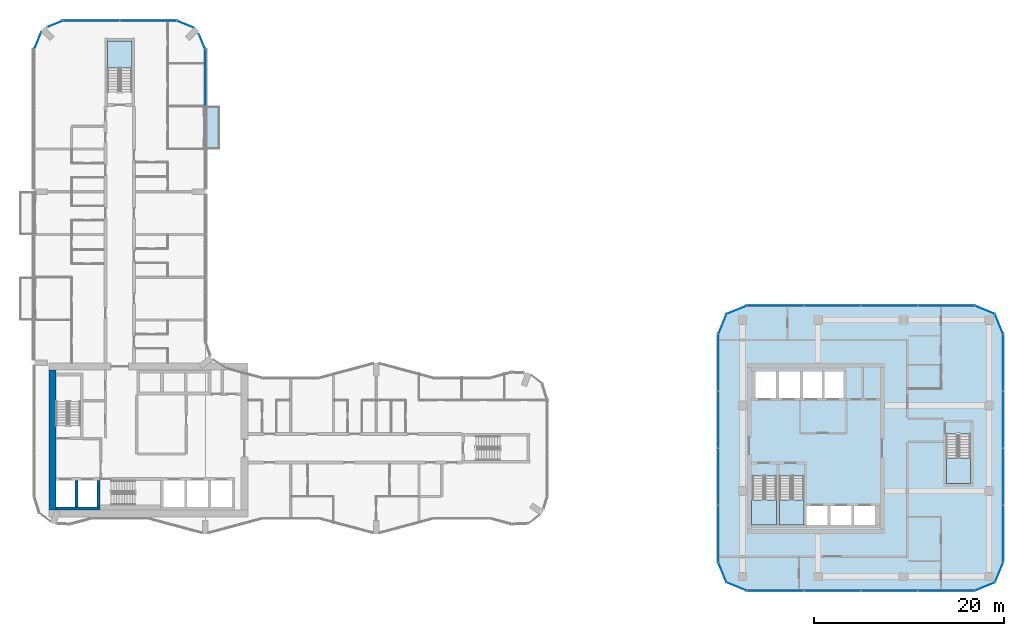
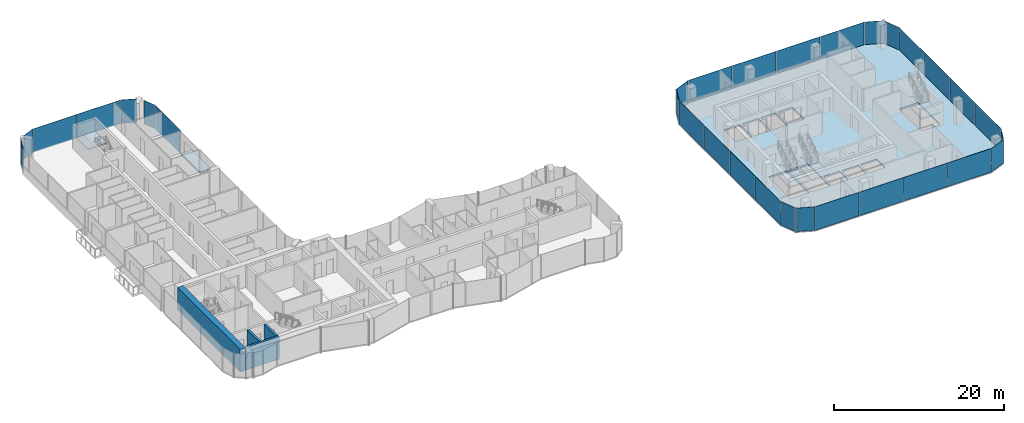
# One storey, part 13 of 24: 31 plates, 6 slabs, 4 walls, 22 elements without a shape of their own.
"""IFC4 building model written with IfcOpenShell, lengths in metres."""

import ifcopenshell
import ifcopenshell.guid

model = None  # the IFC model being written
_history = None  # IfcOwnerHistory: only IFC2X3 demands one
_inside = {}  # id of a spatial element -> (the spatial element, [elements in it])
_under = {}  # id of a project, library or spatial element -> (it, [spatial elements below it])
_declared = {}  # id of a project -> (the project, [libraries it declares])
_typed = {}  # id of a type object -> (the type object, [elements of that type])
_made_of = {}  # id of a material, layer set ... -> (it, [elements and type objects made of it])


def new_model(schema):
    """Start an empty IFC model of exactly this schema.

    Asked for "IFC4X3", IfcOpenShell would pick the latest addendum, in which some entities
    have other attributes; the version numbers below select the first issue.
    IFC2X3 requires an IfcOwnerHistory on every rooted entity: one is made here for all.
    """
    global model, _history
    if schema == "IFC4X3":
        model = ifcopenshell.file(schema_version=(4, 3, 0, 0))
    else:
        model = ifcopenshell.file(schema=schema)
    _inside.clear()
    _under.clear()
    _declared.clear()
    _typed.clear()
    _made_of.clear()
    _history = None
    if model.schema == "IFC2X3":
        org = make("IfcOrganization", Name="unknown")
        user = make(
            "IfcPersonAndOrganization",
            ThePerson=make("IfcPerson", FamilyName="unknown"),
            TheOrganization=org,
        )
        app = make(
            "IfcApplication",
            ApplicationDeveloper=org,
            Version="unknown",
            ApplicationFullName="unknown",
            ApplicationIdentifier="unknown",
        )
        _history = make(
            "IfcOwnerHistory",
            OwningUser=user,
            OwningApplication=app,
            ChangeAction="ADDED",
            CreationDate=0,
        )
    return model


def make(cls, **values):
    """One entity of the class cls with the attributes given. An attribute that is None is left unset."""
    return model.create_entity(
        cls, **{name: value for name, value in values.items() if value is not None}
    )


def rooted(cls, **values):
    """An entity with a GlobalId (a new one), such as an element, a storey or a relation."""
    return make(cls, GlobalId=ifcopenshell.guid.new(), OwnerHistory=_history, **values)


def si_unit(unit_type, name, prefix=None):
    """IfcSIUnit, for example si_unit("LENGTHUNIT", "METRE", prefix="MILLI")."""
    return make("IfcSIUnit", UnitType=unit_type, Prefix=prefix, Name=name)


def assignment(units):
    """IfcUnitAssignment: the units of a project."""
    return None if units is None else make("IfcUnitAssignment", Units=units)


def point(xyz):
    """IfcCartesianPoint."""
    return None if xyz is None else make("IfcCartesianPoint", Coordinates=xyz)


def direction(xyz):
    """IfcDirection."""
    return None if xyz is None else make("IfcDirection", DirectionRatios=xyz)


def frame(location, z_axis=None, x_axis=None):
    """IfcAxis2Placement3D, a coordinate frame: its origin and axes. An axis left out is left unset."""
    return make(
        "IfcAxis2Placement3D",
        Location=point(location),
        Axis=direction(z_axis),
        RefDirection=direction(x_axis),
    )


def frame_2d(location, x_axis=None):
    """IfcAxis2Placement2D, a coordinate frame in the plane: its origin and x axis."""
    return make(
        "IfcAxis2Placement2D", Location=point(location), RefDirection=direction(x_axis)
    )


def origin():
    """The frame at (0, 0, 0) with its axes left unset."""
    return frame((0.0, 0.0, 0.0))


def origin_2d():
    """The frame at (0, 0) in the plane with its x axis left unset."""
    return frame_2d((0.0, 0.0))


def place(relative_to, where):
    """IfcLocalPlacement: puts the frame where relative to a parent placement (None: the world)."""
    return make(
        "IfcLocalPlacement", PlacementRelTo=relative_to, RelativePlacement=where
    )


def context(
    kind, dimensions, precision=None, world=None, true_north=None, identifier=None
):
    """IfcGeometricRepresentationContext, for example the 3D "Model" context."""
    return make(
        "IfcGeometricRepresentationContext",
        ContextIdentifier=identifier,
        ContextType=kind,
        CoordinateSpaceDimension=dimensions,
        Precision=precision,
        WorldCoordinateSystem=world,
        TrueNorth=true_north,
    )


def subcontext(parent, identifier, kind, view, scale=None):
    """IfcGeometricRepresentationSubContext, for example "Body" below "Model"."""
    return make(
        "IfcGeometricRepresentationSubContext",
        ContextIdentifier=identifier,
        ContextType=kind,
        ParentContext=parent,
        TargetScale=scale,
        TargetView=view,
    )


def project(units=None, contexts=None):
    """IfcProject with its units and contexts."""
    return rooted(
        "IfcProject",
        Name="project",
        RepresentationContexts=contexts,
        UnitsInContext=assignment(units),
    )


def spatial(cls, under=None, at=None, **own):
    """A site, building, storey or space (cls), placed at a placement, below another one or the project."""
    s = rooted(cls, ObjectPlacement=at, **own)
    if under is not None:
        _under.setdefault(under.id(), (under, []))[1].append(s)
    return s


def polyline(points):
    """IfcPolyline through the points."""
    return make("IfcPolyline", Points=[point(p) for p in points])


def profile(cls, at=None, kind="AREA", **sizes):
    """A parametric profile (cls). Its sizes go by their IFC names, for example OverallWidth=200.0."""
    return make(cls, ProfileType=kind, Position=at, **sizes)


def rectangle(**sizes):
    """IfcRectangleProfileDef."""
    return profile("IfcRectangleProfileDef", **sizes)


def outline(outer, holes=None, kind="AREA"):
    """IfcArbitraryClosedProfileDef: a profile drawn as a closed curve; with holes, ...WithVoids."""
    if holes is None:
        return make("IfcArbitraryClosedProfileDef", ProfileType=kind, OuterCurve=outer)
    return make(
        "IfcArbitraryProfileDefWithVoids",
        ProfileType=kind,
        OuterCurve=outer,
        InnerCurves=holes,
    )


def extrude(swept, where, along, depth):
    """IfcExtrudedAreaSolid: the profile swept, set in the frame where, extruded along a direction by depth."""
    return make(
        "IfcExtrudedAreaSolid",
        SweptArea=swept,
        Position=where,
        ExtrudedDirection=direction(along),
        Depth=depth,
    )


def shape(context_of_items, identifier, shape_type, items):
    """IfcShapeRepresentation: the items that make up one representation, for example the "Body"."""
    return make(
        "IfcShapeRepresentation",
        ContextOfItems=context_of_items,
        RepresentationIdentifier=identifier,
        RepresentationType=shape_type,
        Items=items,
    )


def material(Name=None, Category=None):
    """IfcMaterial."""
    return make("IfcMaterial", Name=Name, Category=Category)


def layer(
    of_material, thickness, ventilated=None, Name=None, Category=None, Priority=None
):
    """IfcMaterialLayer: one layer of a wall or slab, of a material (None: an air gap)."""
    return make(
        "IfcMaterialLayer",
        Material=of_material,
        LayerThickness=thickness,
        IsVentilated=ventilated,
        Name=Name,
        Category=Category,
        Priority=Priority,
    )


def layer_set(layers, Name=None):
    """IfcMaterialLayerSet."""
    return make("IfcMaterialLayerSet", MaterialLayers=layers, LayerSetName=Name)


def made_of(thing, what):
    """Note that an element or type object is made of a material, layer set ...; save() writes the relation."""
    if what is not None:
        _made_of.setdefault(what.id(), (what, []))[1].append(thing)
    return thing


def type_object(cls, material=None, **own):
    """A type object (cls), such as IfcWallType, which elements share."""
    return made_of(rooted(cls, **own), material)


def element(
    cls,
    number,
    at=None,
    inside=None,
    cuts=None,
    type_object=None,
    material=None,
    context=None,
    identifier="Body",
    shape_type=None,
    held_by="IfcProductDefinitionShape",
    body=None,
    shapes=None,
    **own,
):
    """One element of the class cls, such as IfcWall. Its Tag is "e" and its number.

    at: its placement. inside: the storey or other place that contains it. cuts: it is an
    opening in that element (IfcRelVoidsElement). A single representation is given by context,
    identifier, shape_type and body (its items); several are given by shapes. held_by: the class
    of the entity that holds the representations. save() writes the other relations.
    """
    e = rooted(cls, Tag="e%d" % number, ObjectPlacement=at, **own)
    if body is not None:
        shapes = [shape(context, identifier, shape_type, body)]
    if shapes is not None:
        e.Representation = make(held_by, Representations=shapes)
    if inside is not None:
        _inside.setdefault(inside.id(), (inside, []))[1].append(e)
    if cuts is not None:
        rooted(
            "IfcRelVoidsElement", RelatingBuildingElement=cuts, RelatedOpeningElement=e
        )
    if type_object is not None:
        _typed.setdefault(type_object.id(), (type_object, []))[1].append(e)
    return made_of(e, material)


def aggregate(whole, parts):
    """IfcRelAggregates: a whole, such as a stair, and the parts it consists of."""
    return rooted("IfcRelAggregates", RelatingObject=whole, RelatedObjects=parts)


def save(model, path):
    """Write the relations noted so far, then the file.

    IfcRelAggregates (storeys below a building ...), IfcRelContainedInSpatialStructure (elements
    in a storey), IfcRelDefinesByType, IfcRelAssociatesMaterial and IfcRelDeclares: one each for
    every whole, place, type object, material and project.
    """
    for whole, parts in _under.values():
        aggregate(whole, parts)
    for where, things in _inside.values():
        rooted(
            "IfcRelContainedInSpatialStructure",
            RelatedElements=things,
            RelatingStructure=where,
        )
    for kind, things in _typed.values():
        rooted("IfcRelDefinesByType", RelatedObjects=things, RelatingType=kind)
    for what, things in _made_of.values():
        rooted("IfcRelAssociatesMaterial", RelatedObjects=things, RelatingMaterial=what)
    for by, libraries in _declared.values():
        rooted("IfcRelDeclares", RelatingContext=by, RelatedDefinitions=libraries)
    model.write(path)


model = new_model("IFC4")

# Units and contexts
model_context = context("Model", 3, precision=1e-05, world=origin(), true_north=direction((0.0, 1.0)))
body_context = subcontext(model_context, "Body", "Model", "MODEL_VIEW")
ifc_project = project(units=[si_unit("LENGTHUNIT", "METRE"), si_unit("AREAUNIT", "SQUARE_METRE"), si_unit("VOLUMEUNIT", "CUBIC_METRE"), si_unit("PLANEANGLEUNIT", "RADIAN"), si_unit("MASSUNIT", "GRAM", prefix="KILO")], contexts=[model_context])

# Site, building, storey
site_placement = place(None, origin())
site = spatial("IfcSite", under=ifc_project, at=site_placement, CompositionType="ELEMENT")
building_placement = place(site_placement, origin())
building = spatial("IfcBuilding", under=site, at=building_placement, Name="Plateau Cross Towers", CompositionType="ELEMENT")
storey_placement = place(building_placement, frame((0.0, 0.0, 47.800048828125)))
storey = spatial("IfcBuildingStorey", under=building, at=storey_placement, Name="L11", CompositionType="ELEMENT", Elevation=47.800048828125)

# Slab
ifc_material_1 = material(Name="Concrete C40/50", Category="concrete")
ifc_layer_1 = layer(ifc_material_1, 0.25)
ifc_layer_set_1 = layer_set([ifc_layer_1], Name="Concrete C40/50")
slab_type_1 = type_object("IfcSlabType", Name="Balcony slab 250", PredefinedType="FLOOR", material=ifc_layer_set_1)
slab_1_placement = place(storey_placement, frame((0.0, 0.0, -0.25)))
element("IfcSlab", 1, at=slab_1_placement, inside=storey, type_object=slab_type_1, Name="Balcony slab A-BAL-L11-03", PredefinedType="FLOOR", context=body_context, shape_type="SweptSolid", body=[
    extrude(outline(polyline([(19.5, 40.5), (19.5, 45.0), (18.0, 45.0), (18.0, 40.5), (19.5, 40.5)])), origin(), (0.0, 0.0, 1.0), 0.25),
])

# Curtain wall, plates
ifc_material_2 = material(Name="Dark low-iron glass", Category="glass")
ifc_layer_2 = layer(ifc_material_2, 0.239990234375)
ifc_layer_set_2 = layer_set([ifc_layer_2], Name="Dark low-iron glass")
curtain_wall_type_1 = type_object("IfcCurtainWallType", Name="Curtain wall office unitised CW-F", PredefinedType="NOTDEFINED", material=ifc_layer_set_2)
curtain_wall_1_placement = place(storey_placement, origin())
curtain_wall_1 = element("IfcCurtainWall", 2, at=curtain_wall_1_placement, inside=storey, type_object=curtain_wall_type_1, Name="ENV/B/L11/B750_-60", PredefinedType="NOTDEFINED")
ifc_layer_3 = layer(ifc_material_2, 0.028076171875)
ifc_layer_set_3 = layer_set([ifc_layer_3], Name="Dark low-iron glass")
plate_type_1 = type_object("IfcPlateType", Name="Glass panel 28 office unitised", PredefinedType="CURTAIN_PANEL", material=ifc_layer_set_3)
plate_1_placement = place(storey_placement, frame((78.0, -6.0, -0.1298828125), z_axis=(0.0, 0.0, 1.0), x_axis=(1.0, 0.0, 0.0)))
plate_1 = element("IfcPlate", 3, at=plate_1_placement, type_object=plate_type_1, Name="CW-F panel 1", PredefinedType="CURTAIN_PANEL", context=body_context, shape_type="SweptSolid", body=[
    extrude(rectangle(XDim=5.93994140625, YDim=0.028076171875, at=origin_2d()), origin(), (0.0, 0.0, 1.0), 3.3798828125),
])
plate_2_placement = place(storey_placement, frame((84.0, -6.0, -0.1298828125), z_axis=(0.0, 0.0, 1.0), x_axis=(1.0, 0.0, 0.0)))
plate_2 = element("IfcPlate", 4, at=plate_2_placement, type_object=plate_type_1, Name="CW-F panel 2", PredefinedType="CURTAIN_PANEL", context=body_context, shape_type="SweptSolid", body=[
    extrude(rectangle(XDim=5.93994140625, YDim=0.028076171875, at=origin_2d()), origin(), (0.0, 0.0, 1.0), 3.3798828125),
])
plate_3_placement = place(storey_placement, frame((90.0, -6.0, -0.1298828125), z_axis=(0.0, 0.0, 1.0), x_axis=(1.0, 0.0, 0.0)))
plate_3 = element("IfcPlate", 5, at=plate_3_placement, type_object=plate_type_1, Name="CW-F panel 3", PredefinedType="CURTAIN_PANEL", context=body_context, shape_type="SweptSolid", body=[
    extrude(rectangle(XDim=5.93994140625, YDim=0.028076171875, at=origin_2d()), origin(), (0.0, 0.0, 1.0), 3.3798828125),
])
plate_4_placement = place(storey_placement, frame((96.0, -6.0, -0.1298828125), z_axis=(0.0, 0.0, 1.0), x_axis=(1.0, 0.0, 0.0)))
plate_4 = element("IfcPlate", 6, at=plate_4_placement, type_object=plate_type_1, Name="CW-F panel 4", PredefinedType="CURTAIN_PANEL", context=body_context, shape_type="SweptSolid", body=[
    extrude(rectangle(XDim=5.93994140625, YDim=0.028076171875, at=origin_2d()), origin(), (0.0, 0.0, 1.0), 3.3798828125),
])
aggregate(curtain_wall_1, [plate_1, plate_2, plate_3, plate_4])

# Curtain wall, plate
curtain_wall_2_placement = place(storey_placement, origin())
curtain_wall_2 = element("IfcCurtainWall", 7, at=curtain_wall_2_placement, inside=storey, type_object=curtain_wall_type_1, Name="ENV/B/L11/B990_-60", PredefinedType="NOTDEFINED")
plate_5_placement = place(storey_placement, frame((100.060546875, -5.560546875, -0.1298828125), z_axis=(0.0, 0.0, 1.0), x_axis=(0.923879457699, 0.382683612978, 0.0)))
plate_5 = element("IfcPlate", 8, at=plate_5_placement, type_object=plate_type_1, Name="CW-F panel 1", PredefinedType="CURTAIN_PANEL", context=body_context, shape_type="SweptSolid", body=[
    extrude(rectangle(XDim=2.236083984375, YDim=0.028076171875, at=origin_2d()), origin(), (0.0, 0.0, 1.0), 3.3798828125),
])
aggregate(curtain_wall_2, [plate_5])

curtain_wall_3_placement = place(storey_placement, origin())
curtain_wall_3 = element("IfcCurtainWall", 9, at=curtain_wall_3_placement, inside=storey, type_object=curtain_wall_type_1, Name="ENV/B/L11/B1011_-51", PredefinedType="NOTDEFINED")
plate_6_placement = place(storey_placement, frame((101.560546875, -4.060546875, -0.1298828125), z_axis=(0.0, 0.0, 1.0), x_axis=(0.382683612978, 0.923879457699, 0.0)))
plate_6 = element("IfcPlate", 10, at=plate_6_placement, type_object=plate_type_1, Name="CW-F panel 1", PredefinedType="CURTAIN_PANEL", context=body_context, shape_type="SweptSolid", body=[
    extrude(rectangle(XDim=2.236083984375, YDim=0.028076171875, at=origin_2d()), origin(), (0.0, 0.0, 1.0), 3.3798828125),
])
aggregate(curtain_wall_3, [plate_6])

# Curtain wall, plates
curtain_wall_4_placement = place(storey_placement, origin())
curtain_wall_4 = element("IfcCurtainWall", 11, at=curtain_wall_4_placement, inside=storey, type_object=curtain_wall_type_1, Name="ENV/B/L11/B1020_-30", PredefinedType="NOTDEFINED")
plate_7_placement = place(storey_placement, frame((102.0, 0.0, -0.1298828125), z_axis=(0.0, 0.0, 1.0), x_axis=(0.0, 1.0, 0.0)))
plate_7 = element("IfcPlate", 12, at=plate_7_placement, type_object=plate_type_1, Name="CW-F panel 1", PredefinedType="CURTAIN_PANEL", context=body_context, shape_type="SweptSolid", body=[
    extrude(rectangle(XDim=5.93994140625, YDim=0.028076171875, at=origin_2d()), origin(), (0.0, 0.0, 1.0), 3.3798828125),
])
plate_8_placement = place(storey_placement, frame((102.0, 6.0, -0.1298828125), z_axis=(0.0, 0.0, 1.0), x_axis=(0.0, 1.0, 0.0)))
plate_8 = element("IfcPlate", 13, at=plate_8_placement, type_object=plate_type_1, Name="CW-F panel 2", PredefinedType="CURTAIN_PANEL", context=body_context, shape_type="SweptSolid", body=[
    extrude(rectangle(XDim=5.93994140625, YDim=0.028076171875, at=origin_2d()), origin(), (0.0, 0.0, 1.0), 3.3798828125),
])
plate_9_placement = place(storey_placement, frame((102.0, 12.0, -0.1298828125), z_axis=(0.0, 0.0, 1.0), x_axis=(0.0, 1.0, 0.0)))
plate_9 = element("IfcPlate", 14, at=plate_9_placement, type_object=plate_type_1, Name="CW-F panel 3", PredefinedType="CURTAIN_PANEL", context=body_context, shape_type="SweptSolid", body=[
    extrude(rectangle(XDim=5.93994140625, YDim=0.028076171875, at=origin_2d()), origin(), (0.0, 0.0, 1.0), 3.3798828125),
])
plate_10_placement = place(storey_placement, frame((102.0, 18.0, -0.1298828125), z_axis=(0.0, 0.0, 1.0), x_axis=(0.0, 1.0, 0.0)))
plate_10 = element("IfcPlate", 15, at=plate_10_placement, type_object=plate_type_1, Name="CW-F panel 4", PredefinedType="CURTAIN_PANEL", context=body_context, shape_type="SweptSolid", body=[
    extrude(rectangle(XDim=5.93994140625, YDim=0.028076171875, at=origin_2d()), origin(), (0.0, 0.0, 1.0), 3.3798828125),
])
aggregate(curtain_wall_4, [plate_7, plate_8, plate_9, plate_10])

# Curtain wall, plate
curtain_wall_5_placement = place(storey_placement, origin())
curtain_wall_5 = element("IfcCurtainWall", 16, at=curtain_wall_5_placement, inside=storey, type_object=curtain_wall_type_1, Name="ENV/B/L11/B1020_210", PredefinedType="NOTDEFINED")
plate_11_placement = place(storey_placement, frame((101.560546875, 22.060546875, -0.1298828125), z_axis=(0.0, 0.0, 1.0), x_axis=(-0.382683612978, 0.923879457699, 0.0)))
plate_11 = element("IfcPlate", 17, at=plate_11_placement, type_object=plate_type_1, Name="CW-F panel 1", PredefinedType="CURTAIN_PANEL", context=body_context, shape_type="SweptSolid", body=[
    extrude(rectangle(XDim=2.236083984375, YDim=0.028076171875, at=origin_2d()), origin(), (0.0, 0.0, 1.0), 3.3798828125),
])
aggregate(curtain_wall_5, [plate_11])

curtain_wall_6_placement = place(storey_placement, origin())
curtain_wall_6 = element("IfcCurtainWall", 18, at=curtain_wall_6_placement, inside=storey, type_object=curtain_wall_type_1, Name="ENV/B/L11/B1011_231", PredefinedType="NOTDEFINED")
plate_12_placement = place(storey_placement, frame((100.060546875, 23.560546875, -0.1298828125), z_axis=(0.0, 0.0, 1.0), x_axis=(-0.923879457699, 0.382683612978, 0.0)))
plate_12 = element("IfcPlate", 19, at=plate_12_placement, type_object=plate_type_1, Name="CW-F panel 1", PredefinedType="CURTAIN_PANEL", context=body_context, shape_type="SweptSolid", body=[
    extrude(rectangle(XDim=2.236083984375, YDim=0.028076171875, at=origin_2d()), origin(), (0.0, 0.0, 1.0), 3.3798828125),
])
aggregate(curtain_wall_6, [plate_12])

# Curtain wall, plates
curtain_wall_7_placement = place(storey_placement, origin())
curtain_wall_7 = element("IfcCurtainWall", 20, at=curtain_wall_7_placement, inside=storey, type_object=curtain_wall_type_1, Name="ENV/B/L11/B990_240", PredefinedType="NOTDEFINED")
plate_13_placement = place(storey_placement, frame((96.0, 24.0, -0.1298828125), z_axis=(0.0, 0.0, 1.0), x_axis=(-1.0, 0.0, 0.0)))
plate_13 = element("IfcPlate", 21, at=plate_13_placement, type_object=plate_type_1, Name="CW-F panel 1", PredefinedType="CURTAIN_PANEL", context=body_context, shape_type="SweptSolid", body=[
    extrude(rectangle(XDim=5.93994140625, YDim=0.028076171875, at=origin_2d()), origin(), (0.0, 0.0, 1.0), 3.3798828125),
])
plate_14_placement = place(storey_placement, frame((90.0, 24.0, -0.1298828125), z_axis=(0.0, 0.0, 1.0), x_axis=(-1.0, 0.0, 0.0)))
plate_14 = element("IfcPlate", 22, at=plate_14_placement, type_object=plate_type_1, Name="CW-F panel 2", PredefinedType="CURTAIN_PANEL", context=body_context, shape_type="SweptSolid", body=[
    extrude(rectangle(XDim=5.93994140625, YDim=0.028076171875, at=origin_2d()), origin(), (0.0, 0.0, 1.0), 3.3798828125),
])
plate_15_placement = place(storey_placement, frame((84.0, 24.0, -0.1298828125), z_axis=(0.0, 0.0, 1.0), x_axis=(-1.0, 0.0, 0.0)))
plate_15 = element("IfcPlate", 23, at=plate_15_placement, type_object=plate_type_1, Name="CW-F panel 3", PredefinedType="CURTAIN_PANEL", context=body_context, shape_type="SweptSolid", body=[
    extrude(rectangle(XDim=5.93994140625, YDim=0.028076171875, at=origin_2d()), origin(), (0.0, 0.0, 1.0), 3.3798828125),
])
plate_16_placement = place(storey_placement, frame((78.0, 24.0, -0.1298828125), z_axis=(0.0, 0.0, 1.0), x_axis=(-1.0, 0.0, 0.0)))
plate_16 = element("IfcPlate", 24, at=plate_16_placement, type_object=plate_type_1, Name="CW-F panel 4", PredefinedType="CURTAIN_PANEL", context=body_context, shape_type="SweptSolid", body=[
    extrude(rectangle(XDim=5.93994140625, YDim=0.028076171875, at=origin_2d()), origin(), (0.0, 0.0, 1.0), 3.3798828125),
])
aggregate(curtain_wall_7, [plate_13, plate_14, plate_15, plate_16])

# Curtain wall, plate
curtain_wall_8_placement = place(storey_placement, origin())
curtain_wall_8 = element("IfcCurtainWall", 25, at=curtain_wall_8_placement, inside=storey, type_object=curtain_wall_type_1, Name="ENV/B/L11/B750_240", PredefinedType="NOTDEFINED")
plate_17_placement = place(storey_placement, frame((73.939453125, 23.560546875, -0.1298828125), z_axis=(0.0, 0.0, 1.0), x_axis=(-0.923879457699, -0.382683612978, 0.0)))
plate_17 = element("IfcPlate", 26, at=plate_17_placement, type_object=plate_type_1, Name="CW-F panel 1", PredefinedType="CURTAIN_PANEL", context=body_context, shape_type="SweptSolid", body=[
    extrude(rectangle(XDim=2.236083984375, YDim=0.028076171875, at=origin_2d()), origin(), (0.0, 0.0, 1.0), 3.3798828125),
])
aggregate(curtain_wall_8, [plate_17])

curtain_wall_9_placement = place(storey_placement, origin())
curtain_wall_9 = element("IfcCurtainWall", 27, at=curtain_wall_9_placement, inside=storey, type_object=curtain_wall_type_1, Name="ENV/B/L11/B729_231", PredefinedType="NOTDEFINED")
plate_18_placement = place(storey_placement, frame((72.439453125, 22.060546875, -0.1298828125), z_axis=(0.0, 0.0, 1.0), x_axis=(-0.382683612978, -0.923879457699, 0.0)))
plate_18 = element("IfcPlate", 28, at=plate_18_placement, type_object=plate_type_1, Name="CW-F panel 1", PredefinedType="CURTAIN_PANEL", context=body_context, shape_type="SweptSolid", body=[
    extrude(rectangle(XDim=2.236083984375, YDim=0.028076171875, at=origin_2d()), origin(), (0.0, 0.0, 1.0), 3.3798828125),
])
aggregate(curtain_wall_9, [plate_18])

# Curtain wall, plates
curtain_wall_10_placement = place(storey_placement, origin())
curtain_wall_10 = element("IfcCurtainWall", 29, at=curtain_wall_10_placement, inside=storey, type_object=curtain_wall_type_1, Name="ENV/B/L11/B720_210", PredefinedType="NOTDEFINED")
plate_19_placement = place(storey_placement, frame((72.0, 18.0, -0.1298828125), z_axis=(0.0, 0.0, 1.0), x_axis=(0.0, -1.0, 0.0)))
plate_19 = element("IfcPlate", 30, at=plate_19_placement, type_object=plate_type_1, Name="CW-F panel 1", PredefinedType="CURTAIN_PANEL", context=body_context, shape_type="SweptSolid", body=[
    extrude(rectangle(XDim=5.93994140625, YDim=0.028076171875, at=origin_2d()), origin(), (0.0, 0.0, 1.0), 3.3798828125),
])
plate_20_placement = place(storey_placement, frame((72.0, 12.0, -0.1298828125), z_axis=(0.0, 0.0, 1.0), x_axis=(0.0, -1.0, 0.0)))
plate_20 = element("IfcPlate", 31, at=plate_20_placement, type_object=plate_type_1, Name="CW-F panel 2", PredefinedType="CURTAIN_PANEL", context=body_context, shape_type="SweptSolid", body=[
    extrude(rectangle(XDim=5.93994140625, YDim=0.028076171875, at=origin_2d()), origin(), (0.0, 0.0, 1.0), 3.3798828125),
])
plate_21_placement = place(storey_placement, frame((72.0, 6.0, -0.1298828125), z_axis=(0.0, 0.0, 1.0), x_axis=(0.0, -1.0, 0.0)))
plate_21 = element("IfcPlate", 32, at=plate_21_placement, type_object=plate_type_1, Name="CW-F panel 3", PredefinedType="CURTAIN_PANEL", context=body_context, shape_type="SweptSolid", body=[
    extrude(rectangle(XDim=5.93994140625, YDim=0.028076171875, at=origin_2d()), origin(), (0.0, 0.0, 1.0), 3.3798828125),
])
plate_22_placement = place(storey_placement, frame((72.0, 0.0, -0.1298828125), z_axis=(0.0, 0.0, 1.0), x_axis=(0.0, -1.0, 0.0)))
plate_22 = element("IfcPlate", 33, at=plate_22_placement, type_object=plate_type_1, Name="CW-F panel 4", PredefinedType="CURTAIN_PANEL", context=body_context, shape_type="SweptSolid", body=[
    extrude(rectangle(XDim=5.93994140625, YDim=0.028076171875, at=origin_2d()), origin(), (0.0, 0.0, 1.0), 3.3798828125),
])
aggregate(curtain_wall_10, [plate_19, plate_20, plate_21, plate_22])

# Curtain wall, plate
curtain_wall_11_placement = place(storey_placement, origin())
curtain_wall_11 = element("IfcCurtainWall", 34, at=curtain_wall_11_placement, inside=storey, type_object=curtain_wall_type_1, Name="ENV/B/L11/B720_-30", PredefinedType="NOTDEFINED")
plate_23_placement = place(storey_placement, frame((72.439453125, -4.060546875, -0.1298828125), z_axis=(0.0, 0.0, 1.0), x_axis=(0.382683612978, -0.923879457699, 0.0)))
plate_23 = element("IfcPlate", 35, at=plate_23_placement, type_object=plate_type_1, Name="CW-F panel 1", PredefinedType="CURTAIN_PANEL", context=body_context, shape_type="SweptSolid", body=[
    extrude(rectangle(XDim=2.236083984375, YDim=0.028076171875, at=origin_2d()), origin(), (0.0, 0.0, 1.0), 3.3798828125),
])
aggregate(curtain_wall_11, [plate_23])

curtain_wall_12_placement = place(storey_placement, origin())
curtain_wall_12 = element("IfcCurtainWall", 36, at=curtain_wall_12_placement, inside=storey, type_object=curtain_wall_type_1, Name="ENV/B/L11/B729_-51", PredefinedType="NOTDEFINED")
plate_24_placement = place(storey_placement, frame((73.939453125, -5.560546875, -0.1298828125), z_axis=(0.0, 0.0, 1.0), x_axis=(0.923879457699, -0.382683612978, 0.0)))
plate_24 = element("IfcPlate", 37, at=plate_24_placement, type_object=plate_type_1, Name="CW-F panel 1", PredefinedType="CURTAIN_PANEL", context=body_context, shape_type="SweptSolid", body=[
    extrude(rectangle(XDim=2.236083984375, YDim=0.028076171875, at=origin_2d()), origin(), (0.0, 0.0, 1.0), 3.3798828125),
])
aggregate(curtain_wall_12, [plate_24])

ifc_layer_4 = layer(ifc_material_2, 0.239990234375)
ifc_layer_set_4 = layer_set([ifc_layer_4], Name="Dark low-iron glass")
curtain_wall_type_2 = type_object("IfcCurtainWallType", Name="Curtain wall flush unitised CW-B", PredefinedType="NOTDEFINED", material=ifc_layer_set_4)
curtain_wall_13_placement = place(storey_placement, origin())
curtain_wall_13 = element("IfcCurtainWall", 38, at=curtain_wall_13_placement, inside=storey, type_object=curtain_wall_type_2, Name="ENV/A/L11/A180_450", PredefinedType="NOTDEFINED")
ifc_layer_5 = layer(ifc_material_2, 0.031982421875)
ifc_layer_set_5 = layer_set([ifc_layer_5], Name="Dark low-iron glass")
plate_type_2 = type_object("IfcPlateType", Name="Glass panel 32 flush unitised", PredefinedType="CURTAIN_PANEL", material=ifc_layer_set_5)
plate_25_placement = place(storey_placement, frame((18.0, 48.0048828125, -0.1298828125), z_axis=(0.0, 0.0, 1.0), x_axis=(0.0, 1.0, 0.0)))
plate_25 = element("IfcPlate", 39, at=plate_25_placement, type_object=plate_type_2, Name="CW-B panel 1", PredefinedType="CURTAIN_PANEL", context=body_context, shape_type="SweptSolid", body=[
    extrude(rectangle(XDim=5.929931640625, YDim=0.031982421875, at=origin_2d()), origin(), (0.0, 0.0, 1.0), 3.3798828125),
])
aggregate(curtain_wall_13, [plate_25])

curtain_wall_14_placement = place(storey_placement, origin())
curtain_wall_14 = element("IfcCurtainWall", 40, at=curtain_wall_14_placement, inside=storey, type_object=curtain_wall_type_2, Name="ENV/A/L11/A180_510", PredefinedType="NOTDEFINED")
plate_26_placement = place(storey_placement, frame((17.66943359375, 51.79833984375, -0.1298828125), z_axis=(0.0, 0.0, 1.0), x_axis=(-0.382683612978, 0.923879457699, 0.0)))
plate_26 = element("IfcPlate", 41, at=plate_26_placement, type_object=plate_type_2, Name="CW-B panel 1", PredefinedType="CURTAIN_PANEL", context=body_context, shape_type="SweptSolid", body=[
    extrude(rectangle(XDim=1.668212890625, YDim=0.031982421875, at=origin_2d()), origin(), (0.0, 0.0, 1.0), 3.3798828125),
])
aggregate(curtain_wall_14, [plate_26])

curtain_wall_15_placement = place(storey_placement, origin())
curtain_wall_15 = element("IfcCurtainWall", 42, at=curtain_wall_15_placement, inside=storey, type_object=curtain_wall_type_2, Name="ENV/A/L11/A168_533", PredefinedType="NOTDEFINED")
plate_27_placement = place(storey_placement, frame((15.90283203125, 53.6259765625, -0.1298828125), z_axis=(0.0, 0.0, 1.0), x_axis=(-0.923879457699, 0.382683612978, 0.0)))
plate_27 = element("IfcPlate", 43, at=plate_27_placement, type_object=plate_type_2, Name="CW-B panel 1", PredefinedType="CURTAIN_PANEL", context=body_context, shape_type="SweptSolid", body=[
    extrude(rectangle(XDim=1.894775390625, YDim=0.031982421875, at=origin_2d()), origin(), (0.0, 0.0, 1.0), 3.3798828125),
])
aggregate(curtain_wall_15, [plate_27])

# Curtain wall, plates
curtain_wall_16_placement = place(storey_placement, origin())
curtain_wall_16 = element("IfcCurtainWall", 44, at=curtain_wall_16_placement, inside=storey, type_object=curtain_wall_type_2, Name="ENV/A/L11/A150_540", PredefinedType="NOTDEFINED")
plate_28_placement = place(storey_placement, frame((12.0, 54.0, -0.1298828125), z_axis=(0.0, 0.0, 1.0), x_axis=(-1.0, 0.0, 0.0)))
plate_28 = element("IfcPlate", 45, at=plate_28_placement, type_object=plate_type_2, Name="CW-B panel 1", PredefinedType="CURTAIN_PANEL", context=body_context, shape_type="SweptSolid", body=[
    extrude(rectangle(XDim=5.93994140625, YDim=0.031982421875, at=origin_2d()), origin(), (0.0, 0.0, 1.0), 3.3798828125),
])
plate_29_placement = place(storey_placement, frame((6.0, 54.0, -0.1298828125), z_axis=(0.0, 0.0, 1.0), x_axis=(-1.0, 0.0, 0.0)))
plate_29 = element("IfcPlate", 46, at=plate_29_placement, type_object=plate_type_2, Name="CW-B panel 2", PredefinedType="CURTAIN_PANEL", context=body_context, shape_type="SweptSolid", body=[
    extrude(rectangle(XDim=5.93994140625, YDim=0.031982421875, at=origin_2d()), origin(), (0.0, 0.0, 1.0), 3.3798828125),
])
aggregate(curtain_wall_16, [plate_28, plate_29])

# Curtain wall, plate
curtain_wall_17_placement = place(storey_placement, origin())
curtain_wall_17 = element("IfcCurtainWall", 47, at=curtain_wall_17_placement, inside=storey, type_object=curtain_wall_type_2, Name="ENV/A/L11/A30_540", PredefinedType="NOTDEFINED")
plate_30_placement = place(storey_placement, frame((2.20166015625, 53.66943359375, -0.1298828125), z_axis=(0.0, 0.0, 1.0), x_axis=(-0.923879457699, -0.382683612978, 0.0)))
plate_30 = element("IfcPlate", 48, at=plate_30_placement, type_object=plate_type_2, Name="CW-B panel 1", PredefinedType="CURTAIN_PANEL", context=body_context, shape_type="SweptSolid", body=[
    extrude(rectangle(XDim=1.668212890625, YDim=0.031982421875, at=origin_2d()), origin(), (0.0, 0.0, 1.0), 3.3798828125),
])
aggregate(curtain_wall_17, [plate_30])

curtain_wall_18_placement = place(storey_placement, origin())
curtain_wall_18 = element("IfcCurtainWall", 49, at=curtain_wall_18_placement, inside=storey, type_object=curtain_wall_type_2, Name="ENV/A/L11/A7_528", PredefinedType="NOTDEFINED")
plate_31_placement = place(storey_placement, frame((0.3740234375, 51.90283203125, -0.1298828125), z_axis=(0.0, 0.0, 1.0), x_axis=(-0.382683612978, -0.923879457699, 0.0)))
plate_31 = element("IfcPlate", 50, at=plate_31_placement, type_object=plate_type_2, Name="CW-B panel 1", PredefinedType="CURTAIN_PANEL", context=body_context, shape_type="SweptSolid", body=[
    extrude(rectangle(XDim=1.894775390625, YDim=0.031982421875, at=origin_2d()), origin(), (0.0, 0.0, 1.0), 3.3798828125),
])
aggregate(curtain_wall_18, [plate_31])

# Slab
ifc_layer_6 = layer(ifc_material_1, 0.25)
ifc_layer_set_6 = layer_set([ifc_layer_6], Name="Concrete C40/50")
slab_type_2 = type_object("IfcSlabType", Name="Post-tensioned flat plate slab 250", PredefinedType="FLOOR", material=ifc_layer_set_6)
slab_2_placement = place(storey_placement, frame((0.0, 0.0, -0.25)))
element("IfcSlab", 51, at=slab_2_placement, inside=storey, type_object=slab_type_2, Name="SL-B-L11", PredefinedType="FLOOR", context=body_context, shape_type="SweptSolid", body=[
    extrude(outline(polyline([(72.878662109375, -5.121337890625), (72.0, -3.0), (72.0, 21.0), (72.878662109375, 23.121337890625), (75.0, 24.0), (99.0, 24.0), (101.121337890625, 23.121337890625), (102.0, 21.0), (102.0, -3.0), (101.121337890625, -5.121337890625), (99.0, -6.0), (75.0, -6.0), (72.878662109375, -5.121337890625)]), holes=[polyline([(75.60009765625, 0.89990234375), (78.14990234375, 0.89990234375), (78.14990234375, 6.10009765625), (75.60009765625, 6.10009765625), (75.60009765625, 0.89990234375)]), polyline([(78.10009765625, 14.300048828125), (78.10009765625, 17.10009765625), (75.89990234375, 17.10009765625), (75.89990234375, 14.300048828125), (78.10009765625, 14.300048828125)]), polyline([(83.5, 0.89990234375), (83.5, 2.89990234375), (81.300048828125, 2.89990234375), (81.300048828125, 0.89990234375), (83.5, 0.89990234375)]), polyline([(86.0, 0.89990234375), (86.0, 2.89990234375), (83.800048828125, 2.89990234375), (83.800048828125, 0.89990234375), (86.0, 0.89990234375)]), polyline([(88.5, 0.89990234375), (88.5, 2.89990234375), (86.300048828125, 2.89990234375), (86.300048828125, 0.89990234375), (88.5, 0.89990234375)]), polyline([(78.449951171875, 0.89990234375), (81.0, 0.89990234375), (81.0, 6.10009765625), (78.449951171875, 6.10009765625), (78.449951171875, 0.89990234375)]), polyline([(96.0, 5.300048828125), (98.550048828125, 5.300048828125), (98.550048828125, 10.5), (96.0, 10.5), (96.0, 5.300048828125)]), polyline([(80.60009765625, 14.300048828125), (80.60009765625, 17.10009765625), (78.39990234375, 17.10009765625), (78.39990234375, 14.300048828125), (80.60009765625, 14.300048828125)]), polyline([(80.89990234375, 14.300048828125), (82.89990234375, 14.300048828125), (82.89990234375, 17.10009765625), (80.89990234375, 17.10009765625), (80.89990234375, 14.300048828125)]), polyline([(83.199951171875, 14.300048828125), (85.199951171875, 14.300048828125), (85.199951171875, 17.10009765625), (83.199951171875, 17.10009765625), (83.199951171875, 14.300048828125)])]), origin(), (0.0, 0.0, 1.0), 0.25),
])

# Stair, slab
stair_type = type_object("IfcStairType", Name="ST-TWR", PredefinedType="HALF_TURN_STAIR", material=ifc_material_1)
stair_1_placement = place(storey_placement, origin())
stair_1 = element("IfcStair", 52, at=stair_1_placement, inside=storey, type_object=stair_type, Name="L11 Protected Exit Stair SB-1", PredefinedType="HALF_TURN_STAIR")
ifc_layer_7 = layer(ifc_material_1, 0.199951171875)
ifc_layer_set_7 = layer_set([ifc_layer_7], Name="Concrete C40/50")
slab_type_3 = type_object("IfcSlabType", Name="SL-LANDING", PredefinedType="LANDING", material=ifc_layer_set_7)
slab_3_placement = place(storey_placement, frame((0.0, 0.0, 1.550048828125)))
slab_3 = element("IfcSlab", 53, at=slab_3_placement, type_object=slab_type_3, Name="SB-1 landing 1", PredefinedType="LANDING", context=body_context, shape_type="SweptSolid", body=[
    extrude(outline(polyline([(75.5, 3.580078125), (75.5, 0.89990234375), (78.14990234375, 0.89990234375), (78.14990234375, 3.580078125), (75.5, 3.580078125)])), origin(), (0.0, 0.0, 1.0), 0.199951171875),
])
aggregate(stair_1, [slab_3])

stair_2_placement = place(storey_placement, origin())
stair_2 = element("IfcStair", 54, at=stair_2_placement, inside=storey, type_object=stair_type, Name="L11 Protected Exit Stair SB-2", PredefinedType="HALF_TURN_STAIR")
slab_4_placement = place(storey_placement, frame((0.0, 0.0, 1.550048828125)))
slab_4 = element("IfcSlab", 55, at=slab_4_placement, type_object=slab_type_3, Name="SB-2 landing 1", PredefinedType="LANDING", context=body_context, shape_type="SweptSolid", body=[
    extrude(outline(polyline([(78.449951171875, 3.580078125), (78.449951171875, 0.89990234375), (81.0, 0.89990234375), (81.0, 3.580078125), (78.449951171875, 3.580078125)])), origin(), (0.0, 0.0, 1.0), 0.199951171875),
])
aggregate(stair_2, [slab_4])

stair_3_placement = place(storey_placement, origin())
stair_3 = element("IfcStair", 56, at=stair_3_placement, inside=storey, type_object=stair_type, Name="L11 Protected Exit Stair SB-3", PredefinedType="HALF_TURN_STAIR")
slab_5_placement = place(storey_placement, frame((0.0, 0.0, 1.550048828125)))
slab_5 = element("IfcSlab", 57, at=slab_5_placement, type_object=slab_type_3, Name="SB-3 landing 1", PredefinedType="LANDING", context=body_context, shape_type="SweptSolid", body=[
    extrude(outline(polyline([(96.0, 7.97998046875), (96.0, 5.300048828125), (98.550048828125, 5.300048828125), (98.550048828125, 7.97998046875), (96.0, 7.97998046875)])), origin(), (0.0, 0.0, 1.0), 0.199951171875),
])
aggregate(stair_3, [slab_5])

stair_4_placement = place(storey_placement, origin())
stair_4 = element("IfcStair", 58, at=stair_4_placement, inside=storey, type_object=stair_type, Name="L11 Protected Exit Stair N", PredefinedType="HALF_TURN_STAIR")
slab_6_placement = place(storey_placement, frame((0.0, 0.0, 1.550048828125)))
slab_6 = element("IfcSlab", 59, at=slab_6_placement, type_object=slab_type_3, Name="ES-N landing 1", PredefinedType="LANDING", context=body_context, shape_type="SweptSolid", body=[
    extrude(outline(polyline([(10.27490234375, 49.02001953125), (10.27490234375, 51.85009765625), (7.72509765625, 51.85009765625), (7.72509765625, 49.02001953125), (10.27490234375, 49.02001953125)])), origin(), (0.0, 0.0, 1.0), 0.199951171875),
])
aggregate(stair_4, [slab_6])

# Walls
ifc_material_3 = material(Name="Concrete C60/75", Category="concrete")
ifc_layer_8 = layer(ifc_material_3, 0.300048828125)
ifc_layer_set_8 = layer_set([ifc_layer_8], Name="Concrete C60/75")
wall_type_1 = type_object("IfcWallType", Name="Core shaft wall 300", PredefinedType="SHEAR", material=ifc_layer_set_8)
wall_1_placement = place(storey_placement, frame((2.300048828125, 2.64990234375, 0.0), z_axis=(0.0, 0.0, 1.0), x_axis=(1.0, 0.0, 0.0)))
element("IfcWall", 60, at=wall_1_placement, inside=storey, type_object=wall_type_1, Name="A-sb-back1@L11", PredefinedType="SHEAR", context=body_context, shape_type="SweptSolid", body=[
    extrude(rectangle(XDim=4.599853515625, YDim=0.300048828125, at=frame_2d((2.2998046875, 0.0))), origin(), (0.0, 0.0, 1.0), 3.25),
])
for number, where, z_axis, x_axis, name in (
    (61, (4.449951171875, 2.800048828125, 0.0), (0.0, 0.0, 1.0), (0.0, 1.0, 0.0), "A-sb-v1@L11"),
    (62, (6.75, 2.800048828125, 0.0), (0.0, 0.0, 1.0), (0.0, 1.0, 0.0), "A-sb-v2@L11"),
):
    element("IfcWall", number, at=place(storey_placement, frame(where, z_axis=z_axis, x_axis=x_axis)), inside=storey, type_object=wall_type_1, Name=name, PredefinedType="SHEAR", context=body_context, shape_type="SweptSolid", body=[
        extrude(rectangle(XDim=2.800048828125, YDim=0.300048828125, at=frame_2d((1.39990234375, 0.0))), origin(), (0.0, 0.0, 1.0), 3.25),
    ])
ifc_layer_9 = layer(ifc_material_3, 0.75)
ifc_layer_set_9 = layer_set([ifc_layer_9], Name="Concrete C60/75")
wall_type_2 = type_object("IfcWallType", Name="Core shell wall 750", PredefinedType="SHEAR", material=ifc_layer_set_9)
wall_2_placement = place(storey_placement, frame((1.925048828125, 2.5, 0.0), z_axis=(0.0, 0.0, 1.0), x_axis=(0.0, 1.0, 0.0)))
element("IfcWall", 63, at=wall_2_placement, inside=storey, type_object=wall_type_2, Name="A-core-W@L11", PredefinedType="SHEAR", context=body_context, shape_type="SweptSolid", body=[
    extrude(rectangle(XDim=14.75, YDim=0.75, at=frame_2d((7.375, 0.0))), origin(), (0.0, 0.0, 1.0), 3.25),
])

save(model, "model.ifc")
